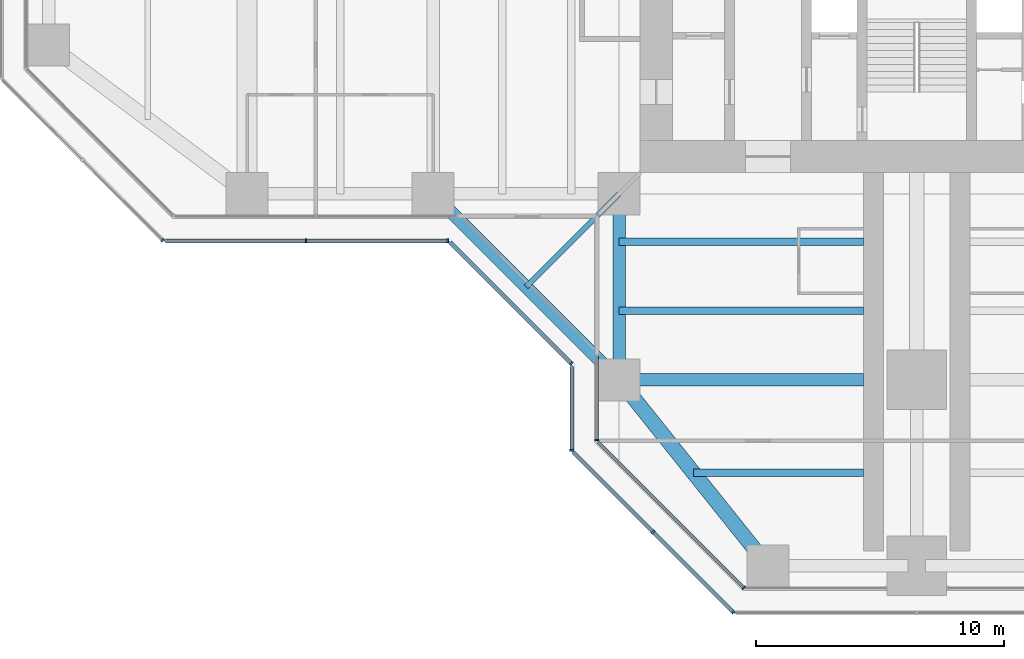
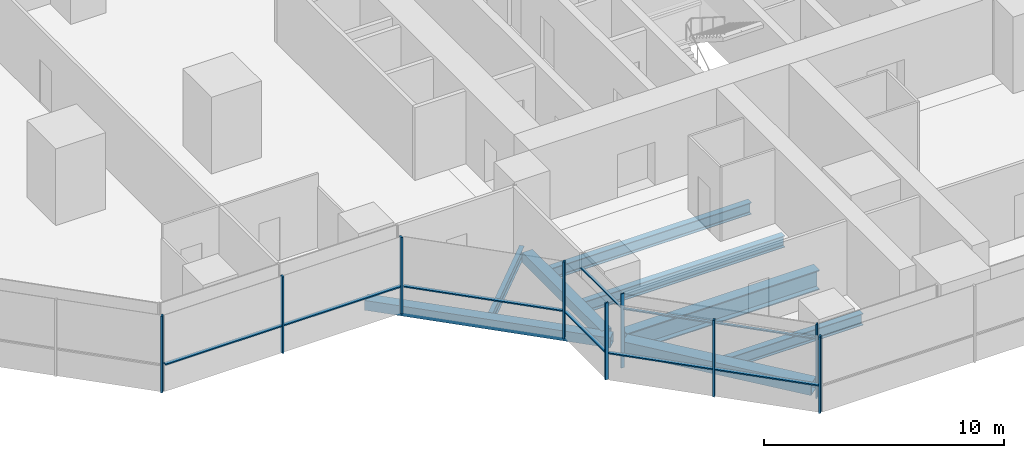
# One storey, part 2 of 20: 17 members, 8 beams, 7 elements without a shape of their own.
"""IFC4 building model written with IfcOpenShell, lengths in metres."""

from ifc_helpers import new_model, si_unit, direction, frame, origin, origin_2d, place, context, subcontext, project, spatial, rectangle, hollow_rectangle, i_section, extrude, material, material_profile, profile_set, type_object, element, aggregate, save


model = new_model("IFC4")

# Units and contexts
model_context = context("Model", 3, precision=1e-05, world=origin(), true_north=direction((0.0, 1.0)))
body_context = subcontext(model_context, "Body", "Model", "MODEL_VIEW")
ifc_project = project(units=[si_unit("LENGTHUNIT", "METRE"), si_unit("AREAUNIT", "SQUARE_METRE"), si_unit("VOLUMEUNIT", "CUBIC_METRE"), si_unit("PLANEANGLEUNIT", "RADIAN"), si_unit("MASSUNIT", "GRAM", prefix="KILO")], contexts=[model_context])

# Site, building, storey
site_placement = place(None, origin())
site = spatial("IfcSite", under=ifc_project, at=site_placement, CompositionType="ELEMENT")
building_placement = place(site_placement, origin())
building = spatial("IfcBuilding", under=site, at=building_placement, Name="Mizan Broadcast Tower", CompositionType="ELEMENT")
storey_placement = place(building_placement, frame((0.0, 0.0, 190.5)))
storey = spatial("IfcBuildingStorey", under=building, at=storey_placement, Name="L44", CompositionType="ELEMENT", Elevation=190.5)

# Beams
ifc_material_1 = material(Name="Steel S355", Category="steel")
ifc_material_profile_1 = material_profile(ifc_material_1, hollow_rectangle(XDim=0.5, YDim=0.5, WallThickness=0.030029296875, at=origin_2d()), Name="BOX 500x500x30")
ifc_profile_set_1 = profile_set([ifc_material_profile_1], Name="Steel S355")
beam_type_1 = type_object("IfcBeamType", Name="EDGE BEAM BOX 500x500x30", PredefinedType="SPANDREL", material=ifc_profile_set_1)
beam_1_placement = place(storey_placement, frame((-12.0, -12.449951171875, -0.3798828125), z_axis=(0.0, -1.0, 0.0), x_axis=(1.0, 0.0, 0.0)))
element("IfcBeam", 1, at=beam_1_placement, inside=storey, type_object=beam_type_1, Name="Edge beam BOX 500x500x30 L44 south arm", PredefinedType="SPANDREL", context=body_context, shape_type="SweptSolid", body=[
    extrude(hollow_rectangle(XDim=0.5, YDim=0.5, WallThickness=0.030029296875, at=origin_2d()), origin(), (0.0, 0.0, 1.0), 6.60009765625),
])
beam_2_placement = place(storey_placement, frame((-19.5, -12.0, -0.3798828125), z_axis=(0.707106781187, -0.707106781187, 0.0), x_axis=(0.707106781187, 0.707106781187, 0.0)))
element("IfcBeam", 2, at=beam_2_placement, inside=storey, type_object=beam_type_1, Name="Winter garden edge beam L44 W", PredefinedType="SPANDREL", context=body_context, shape_type="SweptSolid", body=[
    extrude(hollow_rectangle(XDim=0.5, YDim=0.5, WallThickness=0.030029296875, at=origin_2d()), origin(), (0.0, 0.0, 1.0), 10.606689453125),
])
ifc_material_2 = material(Name="Steel S355", Category="steel")
ifc_material_profile_2 = material_profile(ifc_material_2, hollow_rectangle(XDim=0.60009765625, YDim=0.60009765625, WallThickness=0.030029296875, at=origin_2d()), Name="BOX 600x600x30")
ifc_profile_set_2 = profile_set([ifc_material_profile_2], Name="Steel S355")
beam_type_2 = type_object("IfcBeamType", Name="EDGE BEAM BOX 600x600x30", PredefinedType="SPANDREL", material=ifc_profile_set_2)
beam_3_placement = place(storey_placement, frame((-11.639892578125, -19.949951171875, -0.429931640625), z_axis=(0.624673911726, -0.780885717636, 0.0), x_axis=(0.780885717636, 0.624673911726, 0.0)))
element("IfcBeam", 3, at=beam_3_placement, inside=storey, type_object=beam_type_2, Name="Edge beam BOX 600x600x30 L44 south arm", PredefinedType="SPANDREL", context=body_context, shape_type="SweptSolid", body=[
    extrude(hollow_rectangle(XDim=0.60009765625, YDim=0.60009765625, WallThickness=0.030029296875, at=origin_2d()), origin(), (0.0, 0.0, 1.0), 8.4521484375),
])
ifc_material_3 = material(Name="Steel S460", Category="steel")
ifc_material_profile_3 = material_profile(ifc_material_3, i_section(OverallWidth=0.5, OverallDepth=1.0, WebThickness=0.02490234375, FlangeThickness=0.050048828125, at=origin_2d()), Name="WPG 1000x500")
ifc_profile_set_3 = profile_set([ifc_material_profile_3], Name="Steel S460")
beam_type_3 = type_object("IfcBeamType", Name="GIRDER WPG 1000x500", PredefinedType="BEAM", material=ifc_profile_set_3)
beam_4_placement = place(storey_placement, frame((-11.408935546875, -19.5, -0.6298828125), z_axis=(1.0, 0.0, 0.0), x_axis=(0.0, 1.0, 0.0)))
element("IfcBeam", 4, at=beam_4_placement, inside=storey, type_object=beam_type_3, Name="Girder WPG 1000x500 L44 south arm", PredefinedType="BEAM", context=body_context, shape_type="SweptSolid", body=[
    extrude(i_section(OverallWidth=0.5, OverallDepth=1.0, WebThickness=0.02490234375, FlangeThickness=0.050048828125, at=origin_2d()), origin(), (0.0, 0.0, 1.0), 9.259033203125),
])

# Curtain wall, member
ifc_material_4 = material(Name="Aluminium framed glazing", Category="aluminium")
curtain_wall_type_1 = type_object("IfcCurtainWallType", Name="INNER SKIN MID ZONE", PredefinedType="USERDEFINED", material=ifc_material_4)
curtain_wall_1_placement = place(storey_placement, origin())
curtain_wall_1 = element("IfcCurtainWall", 5, at=curtain_wall_1_placement, inside=storey, type_object=curtain_wall_type_1, Name="Inner skin mid zone L44 S side", ObjectType="INNER SKIN MID ZONE", PredefinedType="USERDEFINED")
ifc_material_5 = material(Name="Aluminium, pale anodised", Category="aluminium")
ifc_material_profile_4 = material_profile(ifc_material_5, rectangle(XDim=0.159912109375, YDim=0.06005859375, at=origin_2d()), Name="MULLION 160x60")
ifc_profile_set_4 = profile_set([ifc_material_profile_4], Name="Aluminium, pale anodised")
member_type_1 = type_object("IfcMemberType", Name="INNER SKIN MULLION 60x160", PredefinedType="MULLION", material=ifc_profile_set_4)
member_1_placement = place(storey_placement, frame((-12.89990234375, -21.928466796875, 0.0), z_axis=(0.0, 0.0, 1.0), x_axis=(1.0, 0.0, 0.0)))
member_1 = element("IfcMember", 6, at=member_1_placement, type_object=member_type_1, Name="Inner skin mid zone L44 S side mullion 2", PredefinedType="MULLION", context=body_context, shape_type="SweptSolid", body=[
    extrude(rectangle(XDim=0.159912109375, YDim=0.06005859375, at=origin_2d()), origin(), (0.0, 0.0, 1.0), 3.77001953125),
])

curtain_wall_2_placement = place(storey_placement, origin())
curtain_wall_2 = element("IfcCurtainWall", 7, at=curtain_wall_2_placement, inside=storey, type_object=curtain_wall_type_1, Name="Inner skin mid zone L44 S chamfer", ObjectType="INNER SKIN MID ZONE", PredefinedType="USERDEFINED")
member_2_placement = place(storey_placement, frame((-6.979736328125, -27.87890625, 0.0), z_axis=(0.0, 0.0, 1.0), x_axis=(0.707106781187, 0.707106781187, 0.0)))
member_2 = element("IfcMember", 8, at=member_2_placement, type_object=member_type_1, Name="Inner skin mid zone L44 S chamfer mullion 2", PredefinedType="MULLION", context=body_context, shape_type="SweptSolid", body=[
    extrude(rectangle(XDim=0.159912109375, YDim=0.06005859375, at=origin_2d()), origin(), (0.0, 0.0, 1.0), 3.77001953125),
])

# Member
ifc_material_6 = material(Name="Aluminium, pale anodised", Category="aluminium")
ifc_material_profile_5 = material_profile(ifc_material_6, rectangle(XDim=0.1201171875, YDim=0.06005859375, at=origin_2d()), Name="TRANSOM 120x60")
ifc_profile_set_5 = profile_set([ifc_material_profile_5], Name="Aluminium, pale anodised")
member_type_2 = type_object("IfcMemberType", Name="INNER SKIN TRANSOM 60x120", PredefinedType="USERDEFINED", material=ifc_profile_set_5)
member_3_placement = place(storey_placement, frame((-12.89990234375, -18.56005859375, 3.030029296875), z_axis=(0.0, -1.0, 0.0), x_axis=(1.0, 0.0, 0.0)))
member_3 = element("IfcMember", 9, at=member_3_placement, type_object=member_type_2, Name="Inner skin mid zone L44 S side transom 1.1", ObjectType="TRANSOM", PredefinedType="USERDEFINED", context=body_context, shape_type="SweptSolid", body=[
    extrude(rectangle(XDim=0.1201171875, YDim=0.06005859375, at=origin_2d()), origin(), (0.0, 0.0, 1.0), 3.338623046875),
])

aggregate(curtain_wall_1, [member_1, member_3])

member_4_placement = place(storey_placement, frame((-12.857666015625, -22.0009765625, 3.030029296875), z_axis=(0.707106781187, -0.707106781187, 0.0), x_axis=(0.707106781187, 0.707106781187, 0.0)))
member_4 = element("IfcMember", 10, at=member_4_placement, type_object=member_type_2, Name="Inner skin mid zone L44 S chamfer transom 1.1", ObjectType="TRANSOM", PredefinedType="USERDEFINED", context=body_context, shape_type="SweptSolid", body=[
    extrude(rectangle(XDim=0.1201171875, YDim=0.06005859375, at=origin_2d()), origin(), (0.0, 0.0, 1.0), 8.28271484375),
])

aggregate(curtain_wall_2, [member_2, member_4])

# Curtain wall, member
ifc_material_7 = material(Name="Aluminium framed glazing", Category="aluminium")
curtain_wall_type_2 = type_object("IfcCurtainWallType", Name="OUTER SKIN", PredefinedType="USERDEFINED", material=ifc_material_7)
curtain_wall_3_placement = place(storey_placement, origin())
curtain_wall_3 = element("IfcCurtainWall", 11, at=curtain_wall_3_placement, inside=storey, type_object=curtain_wall_type_2, Name="Outer skin L44 W chamfer", ObjectType="OUTER SKIN", PredefinedType="USERDEFINED")
ifc_material_8 = material(Name="Aluminium, pale anodised", Category="aluminium")
ifc_material_profile_6 = material_profile(ifc_material_8, rectangle(XDim=0.159912109375, YDim=0.080078125, at=origin_2d()), Name="MULLION 160x80")
ifc_profile_set_6 = profile_set([ifc_material_profile_6], Name="Aluminium, pale anodised")
member_type_3 = type_object("IfcMemberType", Name="OUTER SKIN MULLION 80x160", PredefinedType="MULLION", material=ifc_profile_set_6)
member_5_placement = place(storey_placement, frame((-30.401123046875, -13.871826171875, 0.0), z_axis=(0.0, 0.0, 1.0), x_axis=(0.707106781187, 0.707106781187, 0.0)))
member_5 = element("IfcMember", 12, at=member_5_placement, type_object=member_type_3, Name="Outer skin L44 W chamfer mullion 3", PredefinedType="MULLION", context=body_context, shape_type="SweptSolid", body=[
    extrude(rectangle(XDim=0.159912109375, YDim=0.080078125, at=origin_2d()), origin(), (0.0, 0.0, 1.0), 3.89990234375),
])
aggregate(curtain_wall_3, [member_5])

# Curtain wall, members
curtain_wall_4_placement = place(storey_placement, origin())
curtain_wall_4 = element("IfcCurtainWall", 13, at=curtain_wall_4_placement, inside=storey, type_object=curtain_wall_type_2, Name="Outer skin L44 W side", ObjectType="OUTER SKIN", PredefinedType="USERDEFINED")
member_6_placement = place(storey_placement, frame((-24.622802734375, -13.89990234375, 0.0), z_axis=(0.0, 0.0, 1.0), x_axis=(0.0, 1.0, 0.0)))
member_6 = element("IfcMember", 14, at=member_6_placement, type_object=member_type_3, Name="Outer skin L44 W side mullion 2", PredefinedType="MULLION", context=body_context, shape_type="SweptSolid", body=[
    extrude(rectangle(XDim=0.159912109375, YDim=0.080078125, at=origin_2d()), origin(), (0.0, 0.0, 1.0), 3.89990234375),
])
member_7_placement = place(storey_placement, frame((-18.912841796875, -13.89990234375, 0.0), z_axis=(0.0, 0.0, 1.0), x_axis=(0.0, 1.0, 0.0)))
member_7 = element("IfcMember", 15, at=member_7_placement, type_object=member_type_3, Name="Outer skin L44 W side mullion 3", PredefinedType="MULLION", context=body_context, shape_type="SweptSolid", body=[
    extrude(rectangle(XDim=0.159912109375, YDim=0.080078125, at=origin_2d()), origin(), (0.0, 0.0, 1.0), 3.89990234375),
])

# Curtain wall, member
curtain_wall_5_placement = place(storey_placement, origin())
curtain_wall_5 = element("IfcCurtainWall", 16, at=curtain_wall_5_placement, inside=storey, type_object=curtain_wall_type_2, Name="Outer skin L44 W chamfer", ObjectType="OUTER SKIN", PredefinedType="USERDEFINED")
member_8_placement = place(storey_placement, frame((-13.92822265625, -18.844482421875, 0.0), z_axis=(0.0, 0.0, 1.0), x_axis=(0.707106781187, 0.707106781187, 0.0)))
member_8 = element("IfcMember", 17, at=member_8_placement, type_object=member_type_3, Name="Outer skin L44 W chamfer mullion 2", PredefinedType="MULLION", context=body_context, shape_type="SweptSolid", body=[
    extrude(rectangle(XDim=0.159912109375, YDim=0.080078125, at=origin_2d()), origin(), (0.0, 0.0, 1.0), 3.89990234375),
])

curtain_wall_6_placement = place(storey_placement, origin())
curtain_wall_6 = element("IfcCurtainWall", 18, at=curtain_wall_6_placement, inside=storey, type_object=curtain_wall_type_2, Name="Outer skin L44 S side", ObjectType="OUTER SKIN", PredefinedType="USERDEFINED")
member_9_placement = place(storey_placement, frame((-13.89990234375, -22.332763671875, 0.0), z_axis=(0.0, 0.0, 1.0), x_axis=(1.0, 0.0, 0.0)))
member_9 = element("IfcMember", 19, at=member_9_placement, type_object=member_type_3, Name="Outer skin L44 S side mullion 2", PredefinedType="MULLION", context=body_context, shape_type="SweptSolid", body=[
    extrude(rectangle(XDim=0.159912109375, YDim=0.080078125, at=origin_2d()), origin(), (0.0, 0.0, 1.0), 3.89990234375),
])

# Curtain wall, members
curtain_wall_7_placement = place(storey_placement, origin())
curtain_wall_7 = element("IfcCurtainWall", 20, at=curtain_wall_7_placement, inside=storey, type_object=curtain_wall_type_2, Name="Outer skin L44 S chamfer", ObjectType="OUTER SKIN", PredefinedType="USERDEFINED")
member_10_placement = place(storey_placement, frame((-10.636474609375, -25.636474609375, 0.0), z_axis=(0.0, 0.0, 1.0), x_axis=(0.707106781187, 0.707106781187, 0.0)))
member_10 = element("IfcMember", 21, at=member_10_placement, type_object=member_type_3, Name="Outer skin L44 S chamfer mullion 2", PredefinedType="MULLION", context=body_context, shape_type="SweptSolid", body=[
    extrude(rectangle(XDim=0.159912109375, YDim=0.080078125, at=origin_2d()), origin(), (0.0, 0.0, 1.0), 3.89990234375),
])
member_11_placement = place(storey_placement, frame((-7.401123046875, -28.871826171875, 0.0), z_axis=(0.0, 0.0, 1.0), x_axis=(0.707106781187, 0.707106781187, 0.0)))
member_11 = element("IfcMember", 22, at=member_11_placement, type_object=member_type_3, Name="Outer skin L44 S chamfer mullion 3", PredefinedType="MULLION", context=body_context, shape_type="SweptSolid", body=[
    extrude(rectangle(XDim=0.159912109375, YDim=0.080078125, at=origin_2d()), origin(), (0.0, 0.0, 1.0), 3.89990234375),
])

# Member
ifc_material_9 = material(Name="Aluminium, pale anodised", Category="aluminium")
ifc_material_profile_7 = material_profile(ifc_material_9, rectangle(XDim=0.159912109375, YDim=0.06005859375, at=origin_2d()), Name="TRANSOM 160x60")
ifc_profile_set_7 = profile_set([ifc_material_profile_7], Name="Aluminium, pale anodised")
member_type_4 = type_object("IfcMemberType", Name="OUTER SKIN TRANSOM 60x160", PredefinedType="USERDEFINED", material=ifc_profile_set_7)
member_12_placement = place(storey_placement, frame((-30.292724609375, -13.89990234375, 1.39990234375), z_axis=(1.0, 0.0, 0.0), x_axis=(0.0, 1.0, 0.0)))
member_12 = element("IfcMember", 23, at=member_12_placement, type_object=member_type_4, Name="Outer skin L44 W side transom 1.1", ObjectType="TRANSOM", PredefinedType="USERDEFINED", context=body_context, shape_type="SweptSolid", body=[
    extrude(rectangle(XDim=0.159912109375, YDim=0.06005859375, at=origin_2d()), origin(), (0.0, 0.0, 1.0), 5.6298828125),
])

member_13_placement = place(storey_placement, frame((-24.582763671875, -13.89990234375, 1.39990234375), z_axis=(1.0, 0.0, 0.0), x_axis=(0.0, 1.0, 0.0)))
member_13 = element("IfcMember", 24, at=member_13_placement, type_object=member_type_4, Name="Outer skin L44 W side transom 2.1", ObjectType="TRANSOM", PredefinedType="USERDEFINED", context=body_context, shape_type="SweptSolid", body=[
    extrude(rectangle(XDim=0.159912109375, YDim=0.06005859375, at=origin_2d()), origin(), (0.0, 0.0, 1.0), 5.6298828125),
])

aggregate(curtain_wall_4, [member_6, member_7, member_12, member_13])

member_14_placement = place(storey_placement, frame((-18.816162109375, -13.95654296875, 1.39990234375), z_axis=(0.707106781187, -0.707106781187, 0.0), x_axis=(0.707106781187, 0.707106781187, 0.0)))
member_14 = element("IfcMember", 25, at=member_14_placement, type_object=member_type_4, Name="Outer skin L44 W chamfer transom 1.1", ObjectType="TRANSOM", PredefinedType="USERDEFINED", context=body_context, shape_type="SweptSolid", body=[
    extrude(rectangle(XDim=0.159912109375, YDim=0.06005859375, at=origin_2d()), origin(), (0.0, 0.0, 1.0), 6.87255859375),
])

aggregate(curtain_wall_5, [member_8, member_14])

member_15_placement = place(storey_placement, frame((-13.89990234375, -18.952880859375, 1.39990234375), z_axis=(0.0, -1.0, 0.0), x_axis=(1.0, 0.0, 0.0)))
member_15 = element("IfcMember", 26, at=member_15_placement, type_object=member_type_4, Name="Outer skin L44 S side transom 1.1", ObjectType="TRANSOM", PredefinedType="USERDEFINED", context=body_context, shape_type="SweptSolid", body=[
    extrude(rectangle(XDim=0.159912109375, YDim=0.06005859375, at=origin_2d()), origin(), (0.0, 0.0, 1.0), 3.33984375),
])

aggregate(curtain_wall_6, [member_9, member_15])

member_16_placement = place(storey_placement, frame((-13.843505859375, -22.429443359375, 1.39990234375), z_axis=(0.707106781187, -0.707106781187, 0.0), x_axis=(0.707106781187, 0.707106781187, 0.0)))
member_16 = element("IfcMember", 27, at=member_16_placement, type_object=member_type_4, Name="Outer skin L44 S chamfer transom 1.1", ObjectType="TRANSOM", PredefinedType="USERDEFINED", context=body_context, shape_type="SweptSolid", body=[
    extrude(rectangle(XDim=0.159912109375, YDim=0.06005859375, at=origin_2d()), origin(), (0.0, 0.0, 1.0), 4.495361328125),
])

member_17_placement = place(storey_placement, frame((-10.608154296875, -25.664794921875, 1.39990234375), z_axis=(0.707106781187, -0.707106781187, 0.0), x_axis=(0.707106781187, 0.707106781187, 0.0)))
member_17 = element("IfcMember", 28, at=member_17_placement, type_object=member_type_4, Name="Outer skin L44 S chamfer transom 2.1", ObjectType="TRANSOM", PredefinedType="USERDEFINED", context=body_context, shape_type="SweptSolid", body=[
    extrude(rectangle(XDim=0.159912109375, YDim=0.06005859375, at=origin_2d()), origin(), (0.0, 0.0, 1.0), 4.495361328125),
])

aggregate(curtain_wall_7, [member_10, member_11, member_16, member_17])

# Beams
ifc_material_10 = material(Name="Steel S355", Category="steel")
ifc_material_profile_8 = material_profile(ifc_material_10, i_section(OverallWidth=0.300048828125, OverallDepth=0.590087890625, WebThickness=0.012939453125, FlangeThickness=0.02490234375, FilletRadius=0.027099609375, at=origin_2d()), Name="HEA 600")
ifc_profile_set_8 = profile_set([ifc_material_profile_8], Name="Steel S355")
beam_type_4 = type_object("IfcBeamType", Name="SECONDARY BEAM HEA 600", PredefinedType="JOIST", material=ifc_profile_set_8)
for number, where, z_axis, x_axis, name in (
    (29, (-12.0, -13.933349609375, -0.425048828125), (1.0, 0.0, 0.0), (0.0, 1.0, 0.0), "Secondary beam HEA 600 L44 south arm"),
    (30, (-12.0, -16.716552734375, -0.425048828125), (1.0, 0.0, 0.0), (0.0, 1.0, 0.0), "Secondary beam HEA 600 L44 south arm"),
):
    element("IfcBeam", number, at=place(storey_placement, frame(where, z_axis=z_axis, x_axis=x_axis)), inside=storey, type_object=beam_type_4, Name=name, PredefinedType="JOIST", context=body_context, shape_type="SweptSolid", body=[
        extrude(i_section(OverallWidth=0.300048828125, OverallDepth=0.590087890625, WebThickness=0.012939453125, FlangeThickness=0.02490234375, FilletRadius=0.027099609375, at=origin_2d()), origin(), (0.0, 0.0, 1.0), 9.85009765625),
    ])
beam_5_placement = place(storey_placement, frame((-9.0, -23.25, -0.425048828125), z_axis=(1.0, 0.0, 0.0), x_axis=(0.0, 1.0, 0.0)))
element("IfcBeam", 31, at=beam_5_placement, inside=storey, type_object=beam_type_4, Name="Secondary beam HEA 600 L44 south arm", PredefinedType="JOIST", context=body_context, shape_type="SweptSolid", body=[
    extrude(i_section(OverallWidth=0.300048828125, OverallDepth=0.590087890625, WebThickness=0.012939453125, FlangeThickness=0.02490234375, FilletRadius=0.027099609375, at=origin_2d()), origin(), (0.0, 0.0, 1.0), 6.85009765625),
])
ifc_material_11 = material(Name="Steel S355", Category="steel")
ifc_material_profile_9 = material_profile(ifc_material_11, i_section(OverallWidth=0.2099609375, OverallDepth=0.550048828125, WebThickness=0.010986328125, FlangeThickness=0.01708984375, FilletRadius=0.02392578125, at=origin_2d()), Name="IPE 550")
ifc_profile_set_9 = profile_set([ifc_material_profile_9], Name="Steel S355")
beam_type_5 = type_object("IfcBeamType", Name="SECONDARY BEAM IPE 550", PredefinedType="JOIST", material=ifc_profile_set_9)
beam_6_placement = place(storey_placement, frame((-12.0, -12.0, -0.405029296875), z_axis=(-0.707106781187, -0.707106781187, 0.0), x_axis=(0.707106781187, -0.707106781187, 0.0)))
element("IfcBeam", 32, at=beam_6_placement, inside=storey, type_object=beam_type_5, Name="Winter garden beam L44 W", PredefinedType="JOIST", context=body_context, shape_type="SweptSolid", body=[
    extrude(i_section(OverallWidth=0.2099609375, OverallDepth=0.550048828125, WebThickness=0.010986328125, FlangeThickness=0.01708984375, FilletRadius=0.02392578125, at=origin_2d()), origin(), (0.0, 0.0, 1.0), 5.30322265625),
])

save(model, "model.ifc")
